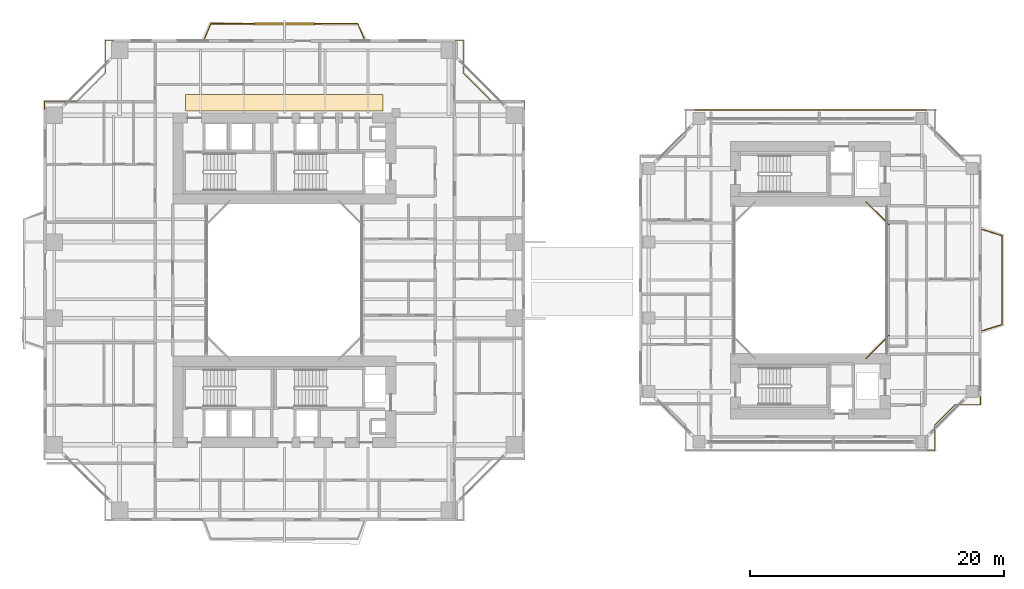
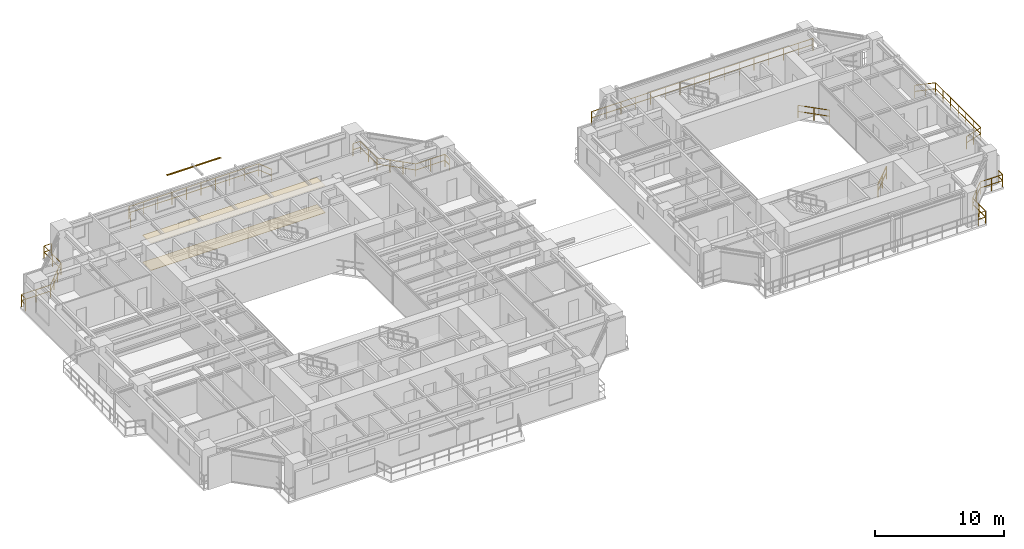
# One storey, part 22 of 23: 8 railings, 2 coverings, 1 shading device.
"""IFC4 building model written with IfcOpenShell, lengths in metres."""

from ifc_helpers import new_model, si_unit, direction, frame, origin, origin_2d, place, context, subcontext, project, spatial, polyline, rectangle, outline, extrude, source, transform, mapped, material, layer, layer_set, material_profile, profile_set, type_object, element, save


model = new_model("IFC4")

# Units and contexts
model_context = context("Model", 3, precision=1e-05, world=origin(), true_north=direction((0.0, 1.0)))
body_context = subcontext(model_context, "Body", "Model", "MODEL_VIEW")
ifc_project = project(units=[si_unit("LENGTHUNIT", "METRE"), si_unit("AREAUNIT", "SQUARE_METRE"), si_unit("VOLUMEUNIT", "CUBIC_METRE"), si_unit("PLANEANGLEUNIT", "RADIAN"), si_unit("MASSUNIT", "GRAM", prefix="KILO"), si_unit("THERMODYNAMICTEMPERATUREUNIT", "KELVIN"), si_unit("POWERUNIT", "WATT")], contexts=[model_context])

# Site, building, storey
site_placement = place(None, origin())
site = spatial("IfcSite", under=ifc_project, at=site_placement, CompositionType="ELEMENT")
building_placement = place(site_placement, origin())
building = spatial("IfcBuilding", under=site, at=building_placement, Name="Qiaomeng Ring Towers", CompositionType="ELEMENT")
storey_placement = place(building_placement, frame((0.0, 0.0, 50.25)))
storey = spatial("IfcBuildingStorey", under=building, at=storey_placement, Name="L13", CompositionType="ELEMENT", Elevation=50.25)

# Coverings
ifc_material_1 = material(Name="Moisture-resistant gypsum ceiling board", Category="gypsum")
ifc_layer_1 = layer(ifc_material_1, 0.030029296875, Name="Moisture-resistant gypsum ceiling board")
ifc_layer_set_1 = layer_set([ifc_layer_1], Name="Moisture-resistant gypsum ceiling board")
covering_type_1 = type_object("IfcCoveringType", Name="ARC-COV-CEIL2", PredefinedType="CEILING", material=ifc_layer_set_1)
covering_1_placement = place(storey_placement, frame((0.0, 0.0, 2.550048828125)))
element("IfcCovering", 1, at=covering_1_placement, inside=storey, type_object=covering_type_1, Name="L13 Corridor Acoustic Ceiling", PredefinedType="CEILING", context=body_context, shape_type="SweptSolid", body=[
    extrude(outline(polyline([(11.199951171875, 36.35009765625), (11.199951171875, 37.64990234375), (26.800048828125, 37.64990234375), (26.800048828125, 36.35009765625), (11.199951171875, 36.35009765625)])), origin(), (0.0, 0.0, 1.0), 0.02490234375),
])
ifc_material_2 = material(Name="Vitrified porcelain floor tile", Category="ceramic")
ifc_layer_2 = layer(ifc_material_2, 0.02001953125, Name="Vitrified porcelain floor tile")
ifc_layer_set_2 = layer_set([ifc_layer_2], Name="Vitrified porcelain floor tile")
covering_type_2 = type_object("IfcCoveringType", Name="ARC-COV-FLR1", PredefinedType="FLOORING", material=ifc_layer_set_2)
covering_2_placement = place(storey_placement, origin())
element("IfcCovering", 2, at=covering_2_placement, inside=storey, type_object=covering_type_2, Name="L13 Corridor Stone Flooring", PredefinedType="FLOORING", context=body_context, shape_type="SweptSolid", body=[
    extrude(outline(polyline([(11.199951171875, 36.35009765625), (11.199951171875, 37.64990234375), (26.800048828125, 37.64990234375), (26.800048828125, 36.35009765625), (11.199951171875, 36.35009765625)])), origin(), (0.0, 0.0, 1.0), 0.02001953125),
])

# Railings
ifc_material_3 = material(Name="Low-E pale-green laminated safety glass", Category="glass")
railing_type = type_object("IfcRailingType", Name="ARC-RL-BAL1", PredefinedType="BALUSTRADE", material=ifc_material_3)
railing_1_placement = place(storey_placement, frame((37.919921875, 36.469970703125, 0.0)))
element("IfcRailing", 3, at=railing_1_placement, inside=storey, type_object=railing_type, Name="L13 Balustrade ARC-BAL-NOTCH1-L13-NE", PredefinedType="BALUSTRADE", context=body_context, shape_type="SweptSolid", body=[
    extrude(rectangle(XDim=0.048095703125, YDim=0.048095703125, at=origin_2d()), frame((0.0, 0.0, 1.17578125), z_axis=(0.0, 1.0, 0.0), x_axis=(-1.0, 0.0, 0.0)), (0.0, 0.0, 1.0), 0.650146484375),
    extrude(rectangle(XDim=0.048095703125, YDim=0.048095703125, at=origin_2d()), frame((0.0, 0.0, 0.60009765625), z_axis=(0.0, 1.0, 0.0), x_axis=(-1.0, 0.0, 0.0)), (0.0, 0.0, 1.0), 0.650146484375),
    extrude(rectangle(XDim=0.048095703125, YDim=0.048095703125, at=origin_2d()), frame((0.0, 0.650146484375, 1.17578125), z_axis=(-1.0, 0.0, 0.0), x_axis=(0.0, -1.0, 0.0)), (0.0, 0.0, 1.0), 2.599853515625),
    extrude(rectangle(XDim=0.048095703125, YDim=0.048095703125, at=origin_2d()), frame((0.0, 0.650146484375, 0.60009765625), z_axis=(-1.0, 0.0, 0.0), x_axis=(0.0, -1.0, 0.0)), (0.0, 0.0, 1.0), 2.599853515625),
    extrude(rectangle(XDim=0.048095703125, YDim=0.048095703125, at=origin_2d()), frame((-2.599853515625, 0.650146484375, 1.17578125), z_axis=(-0.707106781187, 0.707106781187, 0.0), x_axis=(-0.707106781187, -0.707106781187, 0.0)), (0.0, 0.0, 1.0), 3.111083984375),
    extrude(rectangle(XDim=0.048095703125, YDim=0.048095703125, at=origin_2d()), frame((-2.599853515625, 0.650146484375, 0.60009765625), z_axis=(-0.707106781187, 0.707106781187, 0.0), x_axis=(-0.707106781187, -0.707106781187, 0.0)), (0.0, 0.0, 1.0), 3.111083984375),
    extrude(rectangle(XDim=0.048095703125, YDim=0.048095703125, at=origin_2d()), frame((-4.7998046875, 2.85009765625, 1.17578125), z_axis=(0.0, 1.0, 0.0), x_axis=(-1.0, 0.0, 0.0)), (0.0, 0.0, 1.0), 2.599853515625),
    extrude(rectangle(XDim=0.048095703125, YDim=0.048095703125, at=origin_2d()), frame((-4.7998046875, 2.85009765625, 0.60009765625), z_axis=(0.0, 1.0, 0.0), x_axis=(-1.0, 0.0, 0.0)), (0.0, 0.0, 1.0), 2.599853515625),
    extrude(rectangle(XDim=0.048095703125, YDim=0.048095703125, at=origin_2d()), frame((-4.7998046875, 5.449951171875, 1.17578125), z_axis=(-1.0, 0.0, 0.0), x_axis=(0.0, -1.0, 0.0)), (0.0, 0.0, 1.0), 0.650146484375),
    extrude(rectangle(XDim=0.048095703125, YDim=0.048095703125, at=origin_2d()), frame((-4.7998046875, 5.449951171875, 0.60009765625), z_axis=(-1.0, 0.0, 0.0), x_axis=(0.0, -1.0, 0.0)), (0.0, 0.0, 1.0), 0.650146484375),
    extrude(rectangle(XDim=0.0419921875, YDim=0.0419921875, at=origin_2d()), origin(), (0.0, 0.0, 1.0), 1.15185546875),
    extrude(rectangle(XDim=0.0419921875, YDim=0.0419921875, at=origin_2d()), frame((0.0, 0.650146484375, 0.0)), (0.0, 0.0, 1.0), 1.15185546875),
    extrude(rectangle(XDim=0.0419921875, YDim=0.0419921875, at=origin_2d()), frame((-1.2998046875, 0.650146484375, 0.0)), (0.0, 0.0, 1.0), 1.15185546875),
    extrude(rectangle(XDim=0.0419921875, YDim=0.0419921875, at=origin_2d()), frame((-2.599853515625, 0.650146484375, 0.0)), (0.0, 0.0, 1.0), 1.15185546875),
    extrude(rectangle(XDim=0.0419921875, YDim=0.0419921875, at=origin_2d()), frame((-3.333251953125, 1.383544921875, 0.0)), (0.0, 0.0, 1.0), 1.15185546875),
    extrude(rectangle(XDim=0.0419921875, YDim=0.0419921875, at=origin_2d()), frame((-4.06640625, 2.11669921875, 0.0)), (0.0, 0.0, 1.0), 1.15185546875),
    extrude(rectangle(XDim=0.0419921875, YDim=0.0419921875, at=origin_2d()), frame((-4.7998046875, 2.85009765625, 0.0)), (0.0, 0.0, 1.0), 1.15185546875),
    extrude(rectangle(XDim=0.0419921875, YDim=0.0419921875, at=origin_2d()), frame((-4.7998046875, 4.14990234375, 0.0)), (0.0, 0.0, 1.0), 1.15185546875),
    extrude(rectangle(XDim=0.0419921875, YDim=0.0419921875, at=origin_2d()), frame((-4.7998046875, 5.449951171875, 0.0)), (0.0, 0.0, 1.0), 1.15185546875),
    extrude(rectangle(XDim=0.0419921875, YDim=0.0419921875, at=origin_2d()), frame((-5.449951171875, 5.449951171875, 0.0)), (0.0, 0.0, 1.0), 1.15185546875),
])
railing_2_placement = place(storey_placement, frame((5.530029296875, 41.919921875, 0.0)))
element("IfcRailing", 4, at=railing_2_placement, inside=storey, type_object=railing_type, Name="L13 Balustrade ARC-BAL-NOTCH1-L13-NW", PredefinedType="BALUSTRADE", context=body_context, shape_type="SweptSolid", body=[
    extrude(rectangle(XDim=0.048095703125, YDim=0.048095703125, at=origin_2d()), frame((0.0, 0.0, 1.17578125), z_axis=(-1.0, 0.0, 0.0), x_axis=(0.0, -1.0, 0.0)), (0.0, 0.0, 1.0), 0.650146484375),
    extrude(rectangle(XDim=0.048095703125, YDim=0.048095703125, at=origin_2d()), frame((0.0, 0.0, 0.60009765625), z_axis=(-1.0, 0.0, 0.0), x_axis=(0.0, -1.0, 0.0)), (0.0, 0.0, 1.0), 0.650146484375),
    extrude(rectangle(XDim=0.048095703125, YDim=0.048095703125, at=origin_2d()), frame((-0.650146484375, 0.0, 1.17578125), z_axis=(0.0, -1.0, 0.0), x_axis=(1.0, 0.0, 0.0)), (0.0, 0.0, 1.0), 2.599853515625),
    extrude(rectangle(XDim=0.048095703125, YDim=0.048095703125, at=origin_2d()), frame((-0.650146484375, 0.0, 0.60009765625), z_axis=(0.0, -1.0, 0.0), x_axis=(1.0, 0.0, 0.0)), (0.0, 0.0, 1.0), 2.599853515625),
    extrude(rectangle(XDim=0.048095703125, YDim=0.048095703125, at=origin_2d()), frame((-0.650146484375, -2.599853515625, 1.17578125), z_axis=(-0.707106781187, -0.707106781187, 0.0), x_axis=(0.707106781187, -0.707106781187, 0.0)), (0.0, 0.0, 1.0), 3.111083984375),
    extrude(rectangle(XDim=0.048095703125, YDim=0.048095703125, at=origin_2d()), frame((-0.650146484375, -2.599853515625, 0.60009765625), z_axis=(-0.707106781187, -0.707106781187, 0.0), x_axis=(0.707106781187, -0.707106781187, 0.0)), (0.0, 0.0, 1.0), 3.111083984375),
    extrude(rectangle(XDim=0.048095703125, YDim=0.048095703125, at=origin_2d()), frame((-2.85009765625, -4.7998046875, 1.17578125), z_axis=(-1.0, 0.0, 0.0), x_axis=(0.0, -1.0, 0.0)), (0.0, 0.0, 1.0), 2.599853515625),
    extrude(rectangle(XDim=0.048095703125, YDim=0.048095703125, at=origin_2d()), frame((-2.85009765625, -4.7998046875, 0.60009765625), z_axis=(-1.0, 0.0, 0.0), x_axis=(0.0, -1.0, 0.0)), (0.0, 0.0, 1.0), 2.599853515625),
    extrude(rectangle(XDim=0.048095703125, YDim=0.048095703125, at=origin_2d()), frame((-5.449951171875, -4.7998046875, 1.17578125), z_axis=(0.0, -1.0, 0.0), x_axis=(1.0, 0.0, 0.0)), (0.0, 0.0, 1.0), 0.650146484375),
    extrude(rectangle(XDim=0.048095703125, YDim=0.048095703125, at=origin_2d()), frame((-5.449951171875, -4.7998046875, 0.60009765625), z_axis=(0.0, -1.0, 0.0), x_axis=(1.0, 0.0, 0.0)), (0.0, 0.0, 1.0), 0.650146484375),
    extrude(rectangle(XDim=0.0419921875, YDim=0.0419921875, at=origin_2d()), origin(), (0.0, 0.0, 1.0), 1.15185546875),
    extrude(rectangle(XDim=0.0419921875, YDim=0.0419921875, at=origin_2d()), frame((-0.650146484375, 0.0, 0.0)), (0.0, 0.0, 1.0), 1.15185546875),
    extrude(rectangle(XDim=0.0419921875, YDim=0.0419921875, at=origin_2d()), frame((-0.650146484375, -1.2998046875, 0.0)), (0.0, 0.0, 1.0), 1.15185546875),
    extrude(rectangle(XDim=0.0419921875, YDim=0.0419921875, at=origin_2d()), frame((-0.650146484375, -2.599853515625, 0.0)), (0.0, 0.0, 1.0), 1.15185546875),
    extrude(rectangle(XDim=0.0419921875, YDim=0.0419921875, at=origin_2d()), frame((-1.383544921875, -3.333251953125, 0.0)), (0.0, 0.0, 1.0), 1.15185546875),
    extrude(rectangle(XDim=0.0419921875, YDim=0.0419921875, at=origin_2d()), frame((-2.11669921875, -4.06640625, 0.0)), (0.0, 0.0, 1.0), 1.15185546875),
    extrude(rectangle(XDim=0.0419921875, YDim=0.0419921875, at=origin_2d()), frame((-2.85009765625, -4.7998046875, 0.0)), (0.0, 0.0, 1.0), 1.15185546875),
    extrude(rectangle(XDim=0.0419921875, YDim=0.0419921875, at=origin_2d()), frame((-4.14990234375, -4.7998046875, 0.0)), (0.0, 0.0, 1.0), 1.15185546875),
    extrude(rectangle(XDim=0.0419921875, YDim=0.0419921875, at=origin_2d()), frame((-5.449951171875, -4.7998046875, 0.0)), (0.0, 0.0, 1.0), 1.15185546875),
    extrude(rectangle(XDim=0.0419921875, YDim=0.0419921875, at=origin_2d()), frame((-5.449951171875, -5.449951171875, 0.0)), (0.0, 0.0, 1.0), 1.15185546875),
])
railing_3_placement = place(storey_placement, frame((12.699951171875, 42.050048828125, 0.0)))
element("IfcRailing", 5, at=railing_3_placement, inside=storey, type_object=railing_type, Name="L13 Balustrade ARC-BAL-L13-T1-N", PredefinedType="BALUSTRADE", context=body_context, shape_type="SweptSolid", body=[
    extrude(rectangle(XDim=0.048095703125, YDim=0.048095703125, at=origin_2d()), frame((0.0, 0.0, 1.17578125), z_axis=(0.39299272826, 0.919541579014, 0.0), x_axis=(-0.919541579014, 0.39299272826, 0.0)), (0.0, 0.0, 1.0), 1.272216796875),
    extrude(rectangle(XDim=0.048095703125, YDim=0.048095703125, at=origin_2d()), frame((0.0, 0.0, 0.60009765625), z_axis=(0.39299272826, 0.919541579014, 0.0), x_axis=(-0.919541579014, 0.39299272826, 0.0)), (0.0, 0.0, 1.0), 1.272216796875),
    extrude(rectangle(XDim=0.048095703125, YDim=0.048095703125, at=origin_2d()), frame((0.5, 1.169921875, 1.17578125), z_axis=(1.0, 0.0, 0.0), x_axis=(0.0, 1.0, 0.0)), (0.0, 0.0, 1.0), 11.60009765625),
    extrude(rectangle(XDim=0.048095703125, YDim=0.048095703125, at=origin_2d()), frame((0.5, 1.169921875, 0.60009765625), z_axis=(1.0, 0.0, 0.0), x_axis=(0.0, 1.0, 0.0)), (0.0, 0.0, 1.0), 11.60009765625),
    extrude(rectangle(XDim=0.048095703125, YDim=0.048095703125, at=origin_2d()), frame((12.10009765625, 1.169921875, 1.17578125), z_axis=(0.39299272826, -0.919541579014, 0.0), x_axis=(0.919541579014, 0.39299272826, 0.0)), (0.0, 0.0, 1.0), 1.272216796875),
    extrude(rectangle(XDim=0.048095703125, YDim=0.048095703125, at=origin_2d()), frame((12.10009765625, 1.169921875, 0.60009765625), z_axis=(0.39299272826, -0.919541579014, 0.0), x_axis=(0.919541579014, 0.39299272826, 0.0)), (0.0, 0.0, 1.0), 1.272216796875),
    extrude(rectangle(XDim=0.0419921875, YDim=0.0419921875, at=origin_2d()), origin(), (0.0, 0.0, 1.0), 1.15185546875),
    extrude(rectangle(XDim=0.0419921875, YDim=0.0419921875, at=origin_2d()), frame((0.5, 1.169921875, 0.0)), (0.0, 0.0, 1.0), 1.15185546875),
    extrude(rectangle(XDim=0.0419921875, YDim=0.0419921875, at=origin_2d()), frame((1.788818359375, 1.169921875, 0.0)), (0.0, 0.0, 1.0), 1.15185546875),
    extrude(rectangle(XDim=0.0419921875, YDim=0.0419921875, at=origin_2d()), frame((3.077880859375, 1.169921875, 0.0)), (0.0, 0.0, 1.0), 1.15185546875),
    extrude(rectangle(XDim=0.0419921875, YDim=0.0419921875, at=origin_2d()), frame((4.36669921875, 1.169921875, 0.0)), (0.0, 0.0, 1.0), 1.15185546875),
    extrude(rectangle(XDim=0.0419921875, YDim=0.0419921875, at=origin_2d()), frame((5.655517578125, 1.169921875, 0.0)), (0.0, 0.0, 1.0), 1.15185546875),
    extrude(rectangle(XDim=0.0419921875, YDim=0.0419921875, at=origin_2d()), frame((6.944580078125, 1.169921875, 0.0)), (0.0, 0.0, 1.0), 1.15185546875),
    extrude(rectangle(XDim=0.0419921875, YDim=0.0419921875, at=origin_2d()), frame((8.2333984375, 1.169921875, 0.0)), (0.0, 0.0, 1.0), 1.15185546875),
    extrude(rectangle(XDim=0.0419921875, YDim=0.0419921875, at=origin_2d()), frame((9.522216796875, 1.169921875, 0.0)), (0.0, 0.0, 1.0), 1.15185546875),
    extrude(rectangle(XDim=0.0419921875, YDim=0.0419921875, at=origin_2d()), frame((10.811279296875, 1.169921875, 0.0)), (0.0, 0.0, 1.0), 1.15185546875),
    extrude(rectangle(XDim=0.0419921875, YDim=0.0419921875, at=origin_2d()), frame((12.10009765625, 1.169921875, 0.0)), (0.0, 0.0, 1.0), 1.15185546875),
    extrude(rectangle(XDim=0.0419921875, YDim=0.0419921875, at=origin_2d()), frame((12.60009765625, 0.0, 0.0)), (0.0, 0.0, 1.0), 1.15185546875),
])
railing_4_placement = place(storey_placement, frame((64.8798828125, 16.820068359375, 0.0)))
element("IfcRailing", 6, at=railing_4_placement, inside=storey, type_object=railing_type, Name="L13 Balustrade ARC-BAL-WELL2-L13-1", PredefinedType="BALUSTRADE", context=body_context, shape_type="SweptSolid", body=[
    extrude(rectangle(XDim=0.048095703125, YDim=0.048095703125, at=origin_2d()), frame((0.0, 0.0, 1.17578125), z_axis=(0.707106781187, 0.707106781187, 0.0), x_axis=(-0.707106781187, 0.707106781187, 0.0)), (0.0, 0.0, 1.0), 2.545654296875),
    extrude(rectangle(XDim=0.048095703125, YDim=0.048095703125, at=origin_2d()), frame((0.0, 0.0, 0.60009765625), z_axis=(0.707106781187, 0.707106781187, 0.0), x_axis=(-0.707106781187, 0.707106781187, 0.0)), (0.0, 0.0, 1.0), 2.545654296875),
    extrude(rectangle(XDim=0.0419921875, YDim=0.0419921875, at=origin_2d()), origin(), (0.0, 0.0, 1.0), 1.15185546875),
    extrude(rectangle(XDim=0.0419921875, YDim=0.0419921875, at=origin_2d()), frame((0.89990234375, 0.89990234375, 0.0)), (0.0, 0.0, 1.0), 1.15185546875),
    extrude(rectangle(XDim=0.0419921875, YDim=0.0419921875, at=origin_2d()), frame((1.800048828125, 1.800048828125, 0.0)), (0.0, 0.0, 1.0), 1.15185546875),
])
railing_5_placement = place(storey_placement, frame((66.679931640625, 27.3798828125, 0.0)))
element("IfcRailing", 7, at=railing_5_placement, inside=storey, type_object=railing_type, Name="L13 Balustrade ARC-BAL-WELL2-L13-2", PredefinedType="BALUSTRADE", context=body_context, shape_type="SweptSolid", body=[
    extrude(rectangle(XDim=0.048095703125, YDim=0.048095703125, at=origin_2d()), frame((0.0, 0.0, 1.17578125), z_axis=(-0.707106781187, 0.707106781187, 0.0), x_axis=(-0.707106781187, -0.707106781187, 0.0)), (0.0, 0.0, 1.0), 2.545654296875),
    extrude(rectangle(XDim=0.048095703125, YDim=0.048095703125, at=origin_2d()), frame((0.0, 0.0, 0.60009765625), z_axis=(-0.707106781187, 0.707106781187, 0.0), x_axis=(-0.707106781187, -0.707106781187, 0.0)), (0.0, 0.0, 1.0), 2.545654296875),
    extrude(rectangle(XDim=0.0419921875, YDim=0.0419921875, at=origin_2d()), origin(), (0.0, 0.0, 1.0), 1.15185546875),
    extrude(rectangle(XDim=0.0419921875, YDim=0.0419921875, at=origin_2d()), frame((-0.89990234375, 0.89990234375, 0.0)), (0.0, 0.0, 1.0), 1.15185546875),
    extrude(rectangle(XDim=0.0419921875, YDim=0.0419921875, at=origin_2d()), frame((-1.800048828125, 1.800048828125, 0.0)), (0.0, 0.0, 1.0), 1.15185546875),
])
railing_6_placement = place(storey_placement, frame((69.669921875, 9.580078125, 0.0)))
element("IfcRailing", 8, at=railing_6_placement, inside=storey, type_object=railing_type, Name="L13 Balustrade ARC-BAL-NOTCH2-L13-SE", PredefinedType="BALUSTRADE", context=body_context, shape_type="SweptSolid", body=[
    extrude(rectangle(XDim=0.048095703125, YDim=0.048095703125, at=origin_2d()), frame((0.0, 0.0, 1.17578125), z_axis=(1.0, 0.0, 0.0), x_axis=(0.0, 1.0, 0.0)), (0.0, 0.0, 1.0), 0.650146484375),
    extrude(rectangle(XDim=0.048095703125, YDim=0.048095703125, at=origin_2d()), frame((0.0, 0.0, 0.60009765625), z_axis=(1.0, 0.0, 0.0), x_axis=(0.0, 1.0, 0.0)), (0.0, 0.0, 1.0), 0.650146484375),
    extrude(rectangle(XDim=0.048095703125, YDim=0.048095703125, at=origin_2d()), frame((0.650146484375, 0.0, 1.17578125), z_axis=(0.0, 1.0, 0.0), x_axis=(-1.0, 0.0, 0.0)), (0.0, 0.0, 1.0), 2.0),
    extrude(rectangle(XDim=0.048095703125, YDim=0.048095703125, at=origin_2d()), frame((0.650146484375, 0.0, 0.60009765625), z_axis=(0.0, 1.0, 0.0), x_axis=(-1.0, 0.0, 0.0)), (0.0, 0.0, 1.0), 2.0),
    extrude(rectangle(XDim=0.048095703125, YDim=0.048095703125, at=origin_2d()), frame((0.650146484375, 2.0, 1.17578125), z_axis=(0.707106781187, 0.707106781187, 0.0), x_axis=(-0.707106781187, 0.707106781187, 0.0)), (0.0, 0.0, 1.0), 2.262451171875),
    extrude(rectangle(XDim=0.048095703125, YDim=0.048095703125, at=origin_2d()), frame((0.650146484375, 2.0, 0.60009765625), z_axis=(0.707106781187, 0.707106781187, 0.0), x_axis=(-0.707106781187, 0.707106781187, 0.0)), (0.0, 0.0, 1.0), 2.262451171875),
    extrude(rectangle(XDim=0.048095703125, YDim=0.048095703125, at=origin_2d()), frame((2.25, 3.599853515625, 1.17578125), z_axis=(1.0, 0.0, 0.0), x_axis=(0.0, 1.0, 0.0)), (0.0, 0.0, 1.0), 2.0),
    extrude(rectangle(XDim=0.048095703125, YDim=0.048095703125, at=origin_2d()), frame((2.25, 3.599853515625, 0.60009765625), z_axis=(1.0, 0.0, 0.0), x_axis=(0.0, 1.0, 0.0)), (0.0, 0.0, 1.0), 2.0),
    extrude(rectangle(XDim=0.048095703125, YDim=0.048095703125, at=origin_2d()), frame((4.25, 3.599853515625, 1.17578125), z_axis=(0.0, 1.0, 0.0), x_axis=(-1.0, 0.0, 0.0)), (0.0, 0.0, 1.0), 0.650146484375),
    extrude(rectangle(XDim=0.048095703125, YDim=0.048095703125, at=origin_2d()), frame((4.25, 3.599853515625, 0.60009765625), z_axis=(0.0, 1.0, 0.0), x_axis=(-1.0, 0.0, 0.0)), (0.0, 0.0, 1.0), 0.650146484375),
    extrude(rectangle(XDim=0.0419921875, YDim=0.0419921875, at=origin_2d()), origin(), (0.0, 0.0, 1.0), 1.15185546875),
    extrude(rectangle(XDim=0.0419921875, YDim=0.0419921875, at=origin_2d()), frame((0.650146484375, 0.0, 0.0)), (0.0, 0.0, 1.0), 1.15185546875),
    extrude(rectangle(XDim=0.0419921875, YDim=0.0419921875, at=origin_2d()), frame((0.650146484375, 1.0, 0.0)), (0.0, 0.0, 1.0), 1.15185546875),
    extrude(rectangle(XDim=0.0419921875, YDim=0.0419921875, at=origin_2d()), frame((0.650146484375, 2.0, 0.0)), (0.0, 0.0, 1.0), 1.15185546875),
    extrude(rectangle(XDim=0.0419921875, YDim=0.0419921875, at=origin_2d()), frame((1.4501953125, 2.7998046875, 0.0)), (0.0, 0.0, 1.0), 1.15185546875),
    extrude(rectangle(XDim=0.0419921875, YDim=0.0419921875, at=origin_2d()), frame((2.25, 3.599853515625, 0.0)), (0.0, 0.0, 1.0), 1.15185546875),
    extrude(rectangle(XDim=0.0419921875, YDim=0.0419921875, at=origin_2d()), frame((3.25, 3.599853515625, 0.0)), (0.0, 0.0, 1.0), 1.15185546875),
    extrude(rectangle(XDim=0.0419921875, YDim=0.0419921875, at=origin_2d()), frame((4.25, 3.599853515625, 0.0)), (0.0, 0.0, 1.0), 1.15185546875),
    extrude(rectangle(XDim=0.0419921875, YDim=0.0419921875, at=origin_2d()), frame((4.25, 4.25, 0.0)), (0.0, 0.0, 1.0), 1.15185546875),
])
railing_7_placement = place(storey_placement, frame((50.60009765625, 36.419921875, 0.0)))
element("IfcRailing", 9, at=railing_7_placement, inside=storey, type_object=railing_type, Name="L13 Balustrade ARC-BAL-T2N-L13", PredefinedType="BALUSTRADE", context=body_context, shape_type="SweptSolid", body=[
    extrude(rectangle(XDim=0.048095703125, YDim=0.048095703125, at=origin_2d()), frame((0.0, 0.0, 1.17578125), z_axis=(1.0, 0.0, 0.0), x_axis=(0.0, 1.0, 0.0)), (0.0, 0.0, 1.0), 19.7998046875),
    extrude(rectangle(XDim=0.048095703125, YDim=0.048095703125, at=origin_2d()), frame((0.0, 0.0, 0.60009765625), z_axis=(1.0, 0.0, 0.0), x_axis=(0.0, 1.0, 0.0)), (0.0, 0.0, 1.0), 19.7998046875),
    extrude(rectangle(XDim=0.0419921875, YDim=0.0419921875, at=origin_2d()), origin(), (0.0, 0.0, 1.0), 1.15185546875),
    extrude(rectangle(XDim=0.0419921875, YDim=0.0419921875, at=origin_2d()), frame((1.320068359375, 0.0, 0.0)), (0.0, 0.0, 1.0), 1.15185546875),
    extrude(rectangle(XDim=0.0419921875, YDim=0.0419921875, at=origin_2d()), frame((2.639892578125, 0.0, 0.0)), (0.0, 0.0, 1.0), 1.15185546875),
    extrude(rectangle(XDim=0.0419921875, YDim=0.0419921875, at=origin_2d()), frame((3.9599609375, 0.0, 0.0)), (0.0, 0.0, 1.0), 1.15185546875),
    extrude(rectangle(XDim=0.0419921875, YDim=0.0419921875, at=origin_2d()), frame((5.280029296875, 0.0, 0.0)), (0.0, 0.0, 1.0), 1.15185546875),
    extrude(rectangle(XDim=0.0419921875, YDim=0.0419921875, at=origin_2d()), frame((6.599853515625, 0.0, 0.0)), (0.0, 0.0, 1.0), 1.15185546875),
    extrude(rectangle(XDim=0.0419921875, YDim=0.0419921875, at=origin_2d()), frame((7.919921875, 0.0, 0.0)), (0.0, 0.0, 1.0), 1.15185546875),
    extrude(rectangle(XDim=0.0419921875, YDim=0.0419921875, at=origin_2d()), frame((9.239990234375, 0.0, 0.0)), (0.0, 0.0, 1.0), 1.15185546875),
    extrude(rectangle(XDim=0.0419921875, YDim=0.0419921875, at=origin_2d()), frame((10.559814453125, 0.0, 0.0)), (0.0, 0.0, 1.0), 1.15185546875),
    extrude(rectangle(XDim=0.0419921875, YDim=0.0419921875, at=origin_2d()), frame((11.8798828125, 0.0, 0.0)), (0.0, 0.0, 1.0), 1.15185546875),
    extrude(rectangle(XDim=0.0419921875, YDim=0.0419921875, at=origin_2d()), frame((13.199951171875, 0.0, 0.0)), (0.0, 0.0, 1.0), 1.15185546875),
    extrude(rectangle(XDim=0.0419921875, YDim=0.0419921875, at=origin_2d()), frame((14.519775390625, 0.0, 0.0)), (0.0, 0.0, 1.0), 1.15185546875),
    extrude(rectangle(XDim=0.0419921875, YDim=0.0419921875, at=origin_2d()), frame((15.83984375, 0.0, 0.0)), (0.0, 0.0, 1.0), 1.15185546875),
    extrude(rectangle(XDim=0.0419921875, YDim=0.0419921875, at=origin_2d()), frame((17.159912109375, 0.0, 0.0)), (0.0, 0.0, 1.0), 1.15185546875),
    extrude(rectangle(XDim=0.0419921875, YDim=0.0419921875, at=origin_2d()), frame((18.479736328125, 0.0, 0.0)), (0.0, 0.0, 1.0), 1.15185546875),
    extrude(rectangle(XDim=0.0419921875, YDim=0.0419921875, at=origin_2d()), frame((19.7998046875, 0.0, 0.0)), (0.0, 0.0, 1.0), 1.15185546875),
])
railing_8_placement = place(storey_placement, frame((74.050048828125, 19.0, 0.0)))
element("IfcRailing", 10, at=railing_8_placement, inside=storey, type_object=railing_type, Name="L13 Balustrade ARC-BAL-L13-T2-E", PredefinedType="BALUSTRADE", context=body_context, shape_type="SweptSolid", body=[
    extrude(rectangle(XDim=0.048095703125, YDim=0.048095703125, at=origin_2d()), frame((0.0, 0.0, 1.17578125), z_axis=(0.952849860715, 0.303442157479, 0.0), x_axis=(-0.303442157479, 0.952849860715, 0.0)), (0.0, 0.0, 1.0), 1.647705078125),
    extrude(rectangle(XDim=0.048095703125, YDim=0.048095703125, at=origin_2d()), frame((0.0, 0.0, 0.60009765625), z_axis=(0.952849860715, 0.303442157479, 0.0), x_axis=(-0.303442157479, 0.952849860715, 0.0)), (0.0, 0.0, 1.0), 1.647705078125),
    extrude(rectangle(XDim=0.048095703125, YDim=0.048095703125, at=origin_2d()), frame((1.570068359375, 0.5, 1.17578125), z_axis=(0.0, 1.0, 0.0), x_axis=(-1.0, 0.0, 0.0)), (0.0, 0.0, 1.0), 7.0),
    extrude(rectangle(XDim=0.048095703125, YDim=0.048095703125, at=origin_2d()), frame((1.570068359375, 0.5, 0.60009765625), z_axis=(0.0, 1.0, 0.0), x_axis=(-1.0, 0.0, 0.0)), (0.0, 0.0, 1.0), 7.0),
    extrude(rectangle(XDim=0.048095703125, YDim=0.048095703125, at=origin_2d()), frame((1.570068359375, 7.5, 1.17578125), z_axis=(-0.952849860715, 0.303442157479, 0.0), x_axis=(-0.303442157479, -0.952849860715, 0.0)), (0.0, 0.0, 1.0), 1.647705078125),
    extrude(rectangle(XDim=0.048095703125, YDim=0.048095703125, at=origin_2d()), frame((1.570068359375, 7.5, 0.60009765625), z_axis=(-0.952849860715, 0.303442157479, 0.0), x_axis=(-0.303442157479, -0.952849860715, 0.0)), (0.0, 0.0, 1.0), 1.647705078125),
    extrude(rectangle(XDim=0.0419921875, YDim=0.0419921875, at=origin_2d()), origin(), (0.0, 0.0, 1.0), 1.15185546875),
    extrude(rectangle(XDim=0.0419921875, YDim=0.0419921875, at=origin_2d()), frame((0.78515625, 0.25, 0.0)), (0.0, 0.0, 1.0), 1.15185546875),
    extrude(rectangle(XDim=0.0419921875, YDim=0.0419921875, at=origin_2d()), frame((1.570068359375, 0.5, 0.0)), (0.0, 0.0, 1.0), 1.15185546875),
    extrude(rectangle(XDim=0.0419921875, YDim=0.0419921875, at=origin_2d()), frame((1.570068359375, 1.666748046875, 0.0)), (0.0, 0.0, 1.0), 1.15185546875),
    extrude(rectangle(XDim=0.0419921875, YDim=0.0419921875, at=origin_2d()), frame((1.570068359375, 2.833251953125, 0.0)), (0.0, 0.0, 1.0), 1.15185546875),
    extrude(rectangle(XDim=0.0419921875, YDim=0.0419921875, at=origin_2d()), frame((1.570068359375, 4.0, 0.0)), (0.0, 0.0, 1.0), 1.15185546875),
    extrude(rectangle(XDim=0.0419921875, YDim=0.0419921875, at=origin_2d()), frame((1.570068359375, 5.166748046875, 0.0)), (0.0, 0.0, 1.0), 1.15185546875),
    extrude(rectangle(XDim=0.0419921875, YDim=0.0419921875, at=origin_2d()), frame((1.570068359375, 6.333251953125, 0.0)), (0.0, 0.0, 1.0), 1.15185546875),
    extrude(rectangle(XDim=0.0419921875, YDim=0.0419921875, at=origin_2d()), frame((1.570068359375, 7.5, 0.0)), (0.0, 0.0, 1.0), 1.15185546875),
    extrude(rectangle(XDim=0.0419921875, YDim=0.0419921875, at=origin_2d()), frame((0.78515625, 7.75, 0.0)), (0.0, 0.0, 1.0), 1.15185546875),
    extrude(rectangle(XDim=0.0419921875, YDim=0.0419921875, at=origin_2d()), frame((0.0, 8.0, 0.0)), (0.0, 0.0, 1.0), 1.15185546875),
])

# Shading device
ifc_material_4 = material(Name="Fluorocarbon dark-grey aluminium", Category="aluminium")
ifc_material_profile = material_profile(ifc_material_4, rectangle(XDim=0.14990234375, YDim=0.034912109375, at=origin_2d()), Name="LV BLADE 150x35")
ifc_profile_set = profile_set([ifc_material_profile], Name="Fluorocarbon dark-grey aluminium")
shading_device_type = type_object("IfcShadingDeviceType", Name="ARC-SHD-SUN", PredefinedType="AWNING", material=ifc_profile_set)
shared_shape = source(origin(), body_context, "Body", "SweptSolid", [
    extrude(rectangle(XDim=0.14990234375, YDim=0.034912109375, at=origin_2d()), origin(), (0.0, 0.0, 1.0), 4.7998046875),
])
shading_device_placement = place(storey_placement, frame((16.60009765625, 43.219970703125, 2.969970703125), z_axis=(1.0, 0.0, 0.0), x_axis=(0.0, 1.0, 0.0)))
element("IfcShadingDevice", 11, at=shading_device_placement, inside=storey, type_object=shading_device_type, Name="L13 Ventilated Outer-Skin Sunshade N", PredefinedType="AWNING", context=body_context, shape_type="MappedRepresentation", body=[
    mapped(shared_shape, transform((0.0, 0.0, 0.0), x_axis=(1.0, 0.0, 0.0), y_axis=(0.0, 1.0, 0.0), z_axis=(0.0, 0.0, 1.0), scale=1.0)),
])

save(model, "model.ifc")
